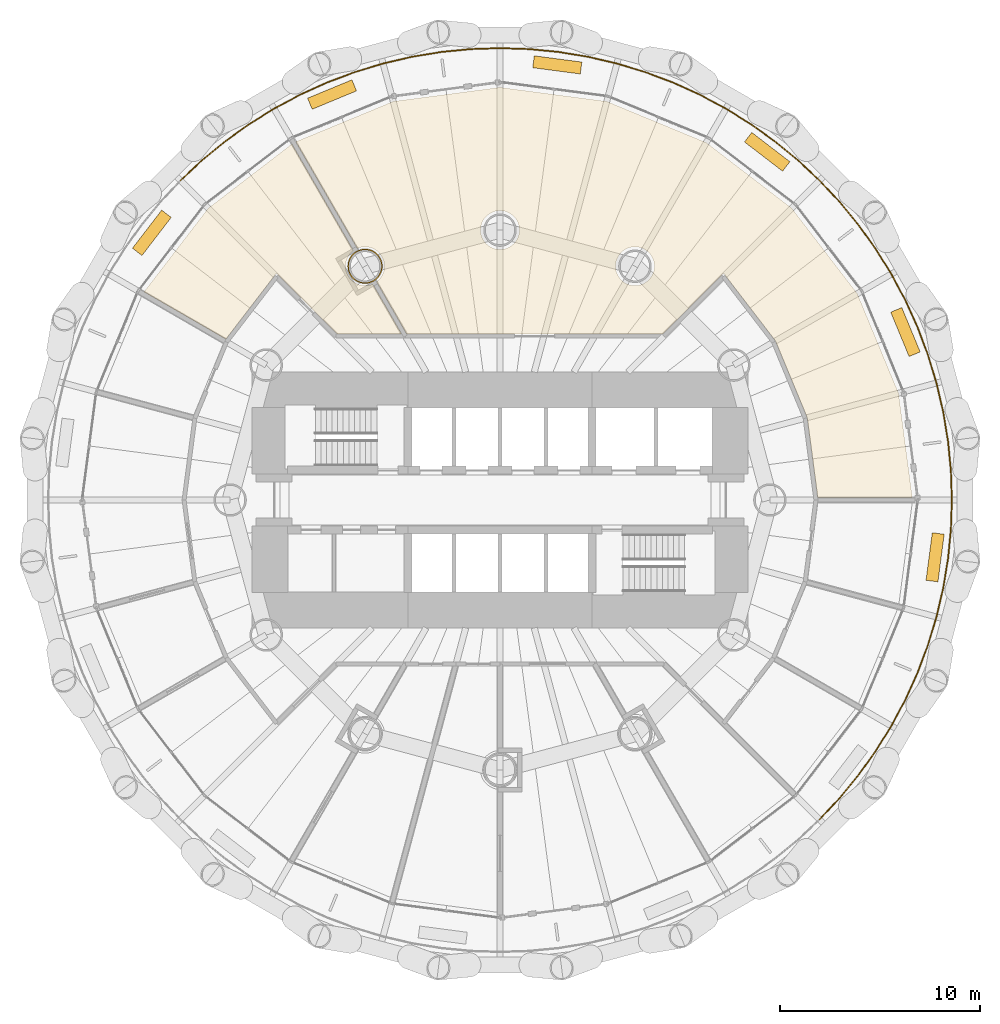
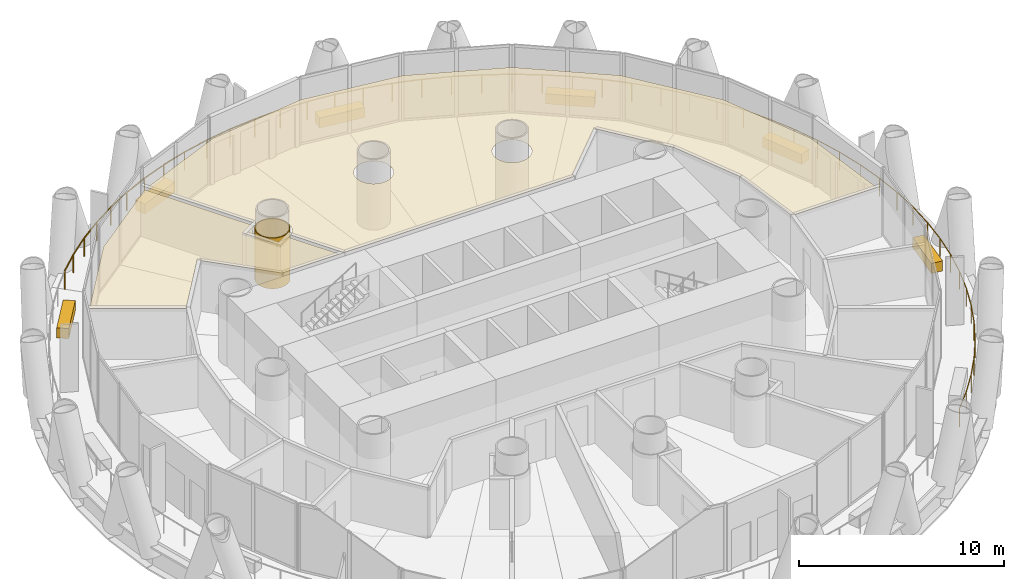
# One storey, part 15 of 15: 9 coverings, 2 railings.
"""IFC4 building model written with IfcOpenShell, lengths in metres."""

from ifc_helpers import new_model, si_unit, direction, frame, origin, origin_2d, place, context, subcontext, project, spatial, polyline, rectangle, circle, outline, extrude, material, layer, layer_set, type_object, element, save


model = new_model("IFC4")

# Units and contexts
model_context = context("Model", 3, precision=1e-05, world=origin(), true_north=direction((0.0, 1.0)))
body_context = subcontext(model_context, "Body", "Model", "MODEL_VIEW")
ifc_project = project(units=[si_unit("LENGTHUNIT", "METRE"), si_unit("AREAUNIT", "SQUARE_METRE"), si_unit("VOLUMEUNIT", "CUBIC_METRE"), si_unit("PLANEANGLEUNIT", "RADIAN"), si_unit("MASSUNIT", "GRAM", prefix="KILO")], contexts=[model_context])

# Site, building, storey
site_placement = place(None, origin())
site = spatial("IfcSite", under=ifc_project, at=site_placement, CompositionType="ELEMENT")
building_placement = place(site_placement, origin())
building = spatial("IfcBuilding", under=site, at=building_placement, Name="Qaws Media Tower", CompositionType="ELEMENT")
storey_placement = place(building_placement, frame((0.0, 0.0, 30.199951171875)))
storey = spatial("IfcBuildingStorey", under=building, at=storey_placement, Name="L05", CompositionType="ELEMENT", Elevation=30.199951171875)

# Railings
ifc_material_1 = material(Name="Stainless steel and glass guard", Category="steel")
railing_type = type_object("IfcRailingType", Name="Balcony guard 1100", PredefinedType="GUARDRAIL", material=ifc_material_1)
railing_1_placement = place(storey_placement, frame((75.980712890625, 65.980712890625, 0.0)))
element("IfcRailing", 1, at=railing_1_placement, inside=storey, type_object=railing_type, Name="GR1 balcony guard L05-1", PredefinedType="GUARDRAIL", context=body_context, shape_type="SweptSolid", body=[
    extrude(circle(Radius=0.02392578125, at=origin_2d()), frame((0.0, 0.0, 1.076171875), z_axis=(-0.729918010526, 0.683534708636, 0.0), x_axis=(-0.683534708636, -0.729918010526, 0.0)), (0.0, 0.0, 1.0), 1.47900390625),
    extrude(circle(Radius=0.02392578125, at=origin_2d()), frame((-1.07958984375, 1.010986328125, 1.076171875), z_axis=(-0.773044305148, 0.6343520334, 0.0), x_axis=(-0.6343520334, -0.773044305148, 0.0)), (0.0, 0.0, 1.0), 1.478759765625),
    extrude(circle(Radius=0.02392578125, at=origin_2d()), frame((-2.22265625, 1.948974609375, 1.076171875), z_axis=(-0.812806706409, 0.582533482314, 0.0), x_axis=(-0.582533482314, -0.812806706409, 0.0)), (0.0, 0.0, 1.0), 1.47900390625),
    extrude(circle(Radius=0.02392578125, at=origin_2d()), frame((-3.4248046875, 2.810546875, 1.076171875), z_axis=(-0.849183285446, 0.528098236808, 0.0), x_axis=(-0.528098236808, -0.849183285446, 0.0)), (0.0, 0.0, 1.0), 1.47900390625),
    extrude(circle(Radius=0.02392578125, at=origin_2d()), frame((-4.6806640625, 3.591552734375, 1.076171875), z_axis=(-0.881982540226, 0.471282079795, 0.0), x_axis=(-0.471282079795, -0.881982540226, 0.0)), (0.0, 0.0, 1.0), 1.47900390625),
    extrude(circle(Radius=0.02392578125, at=origin_2d()), frame((-5.985107421875, 4.28857421875, 1.076171875), z_axis=(-0.910846457391, 0.412745358615, 0.0), x_axis=(-0.412745358615, -0.910846457391, 0.0)), (0.0, 0.0, 1.0), 1.478759765625),
    extrude(circle(Radius=0.02392578125, at=origin_2d()), frame((-7.33203125, 4.89892578125, 1.076171875), z_axis=(-0.935887448914, 0.352299138469, 0.0), x_axis=(-0.352299138469, -0.935887448914, 0.0)), (0.0, 0.0, 1.0), 1.478759765625),
    extrude(circle(Radius=0.02392578125, at=origin_2d()), frame((-8.716064453125, 5.419921875, 1.076171875), z_axis=(-0.956963294231, 0.290208982449, 0.0), x_axis=(-0.290208982449, -0.956963294231, 0.0)), (0.0, 0.0, 1.0), 1.47900390625),
    extrude(circle(Radius=0.02392578125, at=origin_2d()), frame((-10.13134765625, 5.84912109375, 1.076171875), z_axis=(-0.973865554702, 0.227125254792, 0.0), x_axis=(-0.227125254792, -0.973865554702, 0.0)), (0.0, 0.0, 1.0), 1.47900390625),
    extrude(circle(Radius=0.02392578125, at=origin_2d()), frame((-11.57177734375, 6.18505859375, 1.076171875), z_axis=(-0.986633820175, 0.162953075722, 0.0), x_axis=(-0.162953075722, -0.986633820175, 0.0)), (0.0, 0.0, 1.0), 1.478759765625),
    extrude(circle(Radius=0.02392578125, at=origin_2d()), frame((-13.03076171875, 6.426025390625, 1.076171875), z_axis=(-0.995197674488, 0.097885589811, 0.0), x_axis=(-0.097885589811, -0.995197674488, 0.0)), (0.0, 0.0, 1.0), 1.47900390625),
    extrude(circle(Radius=0.02392578125, at=origin_2d()), frame((-14.502685546875, 6.57080078125, 1.076171875), z_axis=(-0.999460191698, 0.032853085257, 0.0), x_axis=(-0.032853085257, -0.999460191698, 0.0)), (0.0, 0.0, 1.0), 1.478759765625),
    extrude(circle(Radius=0.02392578125, at=origin_2d()), frame((-15.980712890625, 6.619384765625, 1.076171875), z_axis=(-0.999460191698, -0.032853085257, 0.0), x_axis=(0.032853085257, -0.999460191698, 0.0)), (0.0, 0.0, 1.0), 1.478759765625),
    extrude(circle(Radius=0.02392578125, at=origin_2d()), frame((-17.458740234375, 6.57080078125, 1.076171875), z_axis=(-0.995197674488, -0.097885589811, 0.0), x_axis=(0.097885589811, -0.995197674488, 0.0)), (0.0, 0.0, 1.0), 1.47900390625),
    extrude(circle(Radius=0.02392578125, at=origin_2d()), frame((-18.9306640625, 6.426025390625, 1.076171875), z_axis=(-0.986633820175, -0.162953075722, 0.0), x_axis=(0.162953075722, -0.986633820175, 0.0)), (0.0, 0.0, 1.0), 1.478759765625),
    extrude(circle(Radius=0.02392578125, at=origin_2d()), frame((-20.3896484375, 6.18505859375, 1.076171875), z_axis=(-0.973865554702, -0.227125254792, 0.0), x_axis=(0.227125254792, -0.973865554702, 0.0)), (0.0, 0.0, 1.0), 1.47900390625),
    extrude(circle(Radius=0.02392578125, at=origin_2d()), frame((-21.830078125, 5.84912109375, 1.076171875), z_axis=(-0.956963294231, -0.290208982449, 0.0), x_axis=(0.290208982449, -0.956963294231, 0.0)), (0.0, 0.0, 1.0), 1.47900390625),
    extrude(circle(Radius=0.02392578125, at=origin_2d()), frame((-23.245361328125, 5.419921875, 1.076171875), z_axis=(-0.935887448914, -0.352299138469, 0.0), x_axis=(0.352299138469, -0.935887448914, 0.0)), (0.0, 0.0, 1.0), 1.478759765625),
    extrude(circle(Radius=0.02392578125, at=origin_2d()), frame((-24.62939453125, 4.89892578125, 1.076171875), z_axis=(-0.910846457391, -0.412745358615, 0.0), x_axis=(0.412745358615, -0.910846457391, 0.0)), (0.0, 0.0, 1.0), 1.478759765625),
    extrude(circle(Radius=0.02392578125, at=origin_2d()), frame((-25.976318359375, 4.28857421875, 1.076171875), z_axis=(-0.881982540226, -0.471282079795, 0.0), x_axis=(0.471282079795, -0.881982540226, 0.0)), (0.0, 0.0, 1.0), 1.47900390625),
    extrude(circle(Radius=0.02392578125, at=origin_2d()), frame((-27.28076171875, 3.591552734375, 1.076171875), z_axis=(-0.849183285446, -0.528098236808, 0.0), x_axis=(0.528098236808, -0.849183285446, 0.0)), (0.0, 0.0, 1.0), 1.47900390625),
    extrude(circle(Radius=0.02392578125, at=origin_2d()), frame((-28.53662109375, 2.810546875, 1.076171875), z_axis=(-0.812806706409, -0.582533482314, 0.0), x_axis=(0.582533482314, -0.812806706409, 0.0)), (0.0, 0.0, 1.0), 1.47900390625),
    extrude(circle(Radius=0.02392578125, at=origin_2d()), frame((-29.73876953125, 1.948974609375, 1.076171875), z_axis=(-0.773044305148, -0.6343520334, 0.0), x_axis=(0.6343520334, -0.773044305148, 0.0)), (0.0, 0.0, 1.0), 1.478759765625),
    extrude(circle(Radius=0.02392578125, at=origin_2d()), frame((-30.8818359375, 1.010986328125, 1.076171875), z_axis=(-0.729918010526, -0.683534708636, 0.0), x_axis=(0.683534708636, -0.729918010526, 0.0)), (0.0, 0.0, 1.0), 1.47900390625),
    extrude(circle(Radius=0.02099609375, at=origin_2d()), origin(), (0.0, 0.0, 1.0), 1.052001953125),
    extrude(circle(Radius=0.02099609375, at=origin_2d()), frame((-1.07958984375, 1.010986328125, 0.0)), (0.0, 0.0, 1.0), 1.052001953125),
    extrude(circle(Radius=0.02099609375, at=origin_2d()), frame((-2.22265625, 1.948974609375, 0.0)), (0.0, 0.0, 1.0), 1.052001953125),
    extrude(circle(Radius=0.02099609375, at=origin_2d()), frame((-3.4248046875, 2.810546875, 0.0)), (0.0, 0.0, 1.0), 1.052001953125),
    extrude(circle(Radius=0.02099609375, at=origin_2d()), frame((-4.6806640625, 3.591552734375, 0.0)), (0.0, 0.0, 1.0), 1.052001953125),
    extrude(circle(Radius=0.02099609375, at=origin_2d()), frame((-5.985107421875, 4.28857421875, 0.0)), (0.0, 0.0, 1.0), 1.052001953125),
    extrude(circle(Radius=0.02099609375, at=origin_2d()), frame((-7.33203125, 4.89892578125, 0.0)), (0.0, 0.0, 1.0), 1.052001953125),
    extrude(circle(Radius=0.02099609375, at=origin_2d()), frame((-8.716064453125, 5.419921875, 0.0)), (0.0, 0.0, 1.0), 1.052001953125),
    extrude(circle(Radius=0.02099609375, at=origin_2d()), frame((-10.13134765625, 5.84912109375, 0.0)), (0.0, 0.0, 1.0), 1.052001953125),
    extrude(circle(Radius=0.02099609375, at=origin_2d()), frame((-11.57177734375, 6.18505859375, 0.0)), (0.0, 0.0, 1.0), 1.052001953125),
    extrude(circle(Radius=0.02099609375, at=origin_2d()), frame((-13.03076171875, 6.426025390625, 0.0)), (0.0, 0.0, 1.0), 1.052001953125),
    extrude(circle(Radius=0.02099609375, at=origin_2d()), frame((-14.502685546875, 6.57080078125, 0.0)), (0.0, 0.0, 1.0), 1.052001953125),
    extrude(circle(Radius=0.02099609375, at=origin_2d()), frame((-15.980712890625, 6.619384765625, 0.0)), (0.0, 0.0, 1.0), 1.052001953125),
    extrude(circle(Radius=0.02099609375, at=origin_2d()), frame((-17.458740234375, 6.57080078125, 0.0)), (0.0, 0.0, 1.0), 1.052001953125),
    extrude(circle(Radius=0.02099609375, at=origin_2d()), frame((-18.9306640625, 6.426025390625, 0.0)), (0.0, 0.0, 1.0), 1.052001953125),
    extrude(circle(Radius=0.02099609375, at=origin_2d()), frame((-20.3896484375, 6.18505859375, 0.0)), (0.0, 0.0, 1.0), 1.052001953125),
    extrude(circle(Radius=0.02099609375, at=origin_2d()), frame((-21.830078125, 5.84912109375, 0.0)), (0.0, 0.0, 1.0), 1.052001953125),
    extrude(circle(Radius=0.02099609375, at=origin_2d()), frame((-23.245361328125, 5.419921875, 0.0)), (0.0, 0.0, 1.0), 1.052001953125),
    extrude(circle(Radius=0.02099609375, at=origin_2d()), frame((-24.62939453125, 4.89892578125, 0.0)), (0.0, 0.0, 1.0), 1.052001953125),
    extrude(circle(Radius=0.02099609375, at=origin_2d()), frame((-25.976318359375, 4.28857421875, 0.0)), (0.0, 0.0, 1.0), 1.052001953125),
    extrude(circle(Radius=0.02099609375, at=origin_2d()), frame((-27.28076171875, 3.591552734375, 0.0)), (0.0, 0.0, 1.0), 1.052001953125),
    extrude(circle(Radius=0.02099609375, at=origin_2d()), frame((-28.53662109375, 2.810546875, 0.0)), (0.0, 0.0, 1.0), 1.052001953125),
    extrude(circle(Radius=0.02099609375, at=origin_2d()), frame((-29.73876953125, 1.948974609375, 0.0)), (0.0, 0.0, 1.0), 1.052001953125),
    extrude(circle(Radius=0.02099609375, at=origin_2d()), frame((-30.8818359375, 1.010986328125, 0.0)), (0.0, 0.0, 1.0), 1.052001953125),
    extrude(circle(Radius=0.02099609375, at=origin_2d()), frame((-31.96142578125, 0.0, 0.0)), (0.0, 0.0, 1.0), 1.052001953125),
])
railing_2_placement = place(storey_placement, frame((75.980712890625, 34.019287109375, 0.0)))
element("IfcRailing", 2, at=railing_2_placement, inside=storey, type_object=railing_type, Name="GR1 balcony guard L05-4", PredefinedType="GUARDRAIL", context=body_context, shape_type="SweptSolid", body=[
    extrude(circle(Radius=0.02392578125, at=origin_2d()), frame((0.0, 0.0, 1.076171875), z_axis=(0.683534708636, 0.729918010526, 0.0), x_axis=(-0.729918010526, 0.683534708636, 0.0)), (0.0, 0.0, 1.0), 1.47900390625),
    extrude(circle(Radius=0.02392578125, at=origin_2d()), frame((1.010986328125, 1.07958984375, 1.076171875), z_axis=(0.6343520334, 0.773044305148, 0.0), x_axis=(-0.773044305148, 0.6343520334, 0.0)), (0.0, 0.0, 1.0), 1.478759765625),
    extrude(circle(Radius=0.02392578125, at=origin_2d()), frame((1.948974609375, 2.22265625, 1.076171875), z_axis=(0.582533482314, 0.812806706409, 0.0), x_axis=(-0.812806706409, 0.582533482314, 0.0)), (0.0, 0.0, 1.0), 1.47900390625),
    extrude(circle(Radius=0.02392578125, at=origin_2d()), frame((2.810546875, 3.4248046875, 1.076171875), z_axis=(0.528098236808, 0.849183285446, 0.0), x_axis=(-0.849183285446, 0.528098236808, 0.0)), (0.0, 0.0, 1.0), 1.47900390625),
    extrude(circle(Radius=0.02392578125, at=origin_2d()), frame((3.591552734375, 4.6806640625, 1.076171875), z_axis=(0.471282079795, 0.881982540226, 0.0), x_axis=(-0.881982540226, 0.471282079795, 0.0)), (0.0, 0.0, 1.0), 1.47900390625),
    extrude(circle(Radius=0.02392578125, at=origin_2d()), frame((4.28857421875, 5.985107421875, 1.076171875), z_axis=(0.412745358615, 0.910846457391, 0.0), x_axis=(-0.910846457391, 0.412745358615, 0.0)), (0.0, 0.0, 1.0), 1.478759765625),
    extrude(circle(Radius=0.02392578125, at=origin_2d()), frame((4.89892578125, 7.33203125, 1.076171875), z_axis=(0.352299138469, 0.935887448914, 0.0), x_axis=(-0.935887448914, 0.352299138469, 0.0)), (0.0, 0.0, 1.0), 1.478759765625),
    extrude(circle(Radius=0.02392578125, at=origin_2d()), frame((5.419921875, 8.716064453125, 1.076171875), z_axis=(0.290208982449, 0.956963294231, 0.0), x_axis=(-0.956963294231, 0.290208982449, 0.0)), (0.0, 0.0, 1.0), 1.47900390625),
    extrude(circle(Radius=0.02392578125, at=origin_2d()), frame((5.84912109375, 10.13134765625, 1.076171875), z_axis=(0.227125254792, 0.973865554702, 0.0), x_axis=(-0.973865554702, 0.227125254792, 0.0)), (0.0, 0.0, 1.0), 1.47900390625),
    extrude(circle(Radius=0.02392578125, at=origin_2d()), frame((6.18505859375, 11.57177734375, 1.076171875), z_axis=(0.162953075722, 0.986633820175, 0.0), x_axis=(-0.986633820175, 0.162953075722, 0.0)), (0.0, 0.0, 1.0), 1.478759765625),
    extrude(circle(Radius=0.02392578125, at=origin_2d()), frame((6.426025390625, 13.03076171875, 1.076171875), z_axis=(0.097885589811, 0.995197674488, 0.0), x_axis=(-0.995197674488, 0.097885589811, 0.0)), (0.0, 0.0, 1.0), 1.47900390625),
    extrude(circle(Radius=0.02392578125, at=origin_2d()), frame((6.57080078125, 14.502685546875, 1.076171875), z_axis=(0.032853085257, 0.999460191698, 0.0), x_axis=(-0.999460191698, 0.032853085257, 0.0)), (0.0, 0.0, 1.0), 1.478759765625),
    extrude(circle(Radius=0.02392578125, at=origin_2d()), frame((6.619384765625, 15.980712890625, 1.076171875), z_axis=(-0.032853085257, 0.999460191698, 0.0), x_axis=(-0.999460191698, -0.032853085257, 0.0)), (0.0, 0.0, 1.0), 1.478759765625),
    extrude(circle(Radius=0.02392578125, at=origin_2d()), frame((6.57080078125, 17.458740234375, 1.076171875), z_axis=(-0.097885589811, 0.995197674488, 0.0), x_axis=(-0.995197674488, -0.097885589811, 0.0)), (0.0, 0.0, 1.0), 1.47900390625),
    extrude(circle(Radius=0.02392578125, at=origin_2d()), frame((6.426025390625, 18.9306640625, 1.076171875), z_axis=(-0.162953075722, 0.986633820175, 0.0), x_axis=(-0.986633820175, -0.162953075722, 0.0)), (0.0, 0.0, 1.0), 1.478759765625),
    extrude(circle(Radius=0.02392578125, at=origin_2d()), frame((6.18505859375, 20.3896484375, 1.076171875), z_axis=(-0.227125254792, 0.973865554702, 0.0), x_axis=(-0.973865554702, -0.227125254792, 0.0)), (0.0, 0.0, 1.0), 1.47900390625),
    extrude(circle(Radius=0.02392578125, at=origin_2d()), frame((5.84912109375, 21.830078125, 1.076171875), z_axis=(-0.290208982449, 0.956963294231, 0.0), x_axis=(-0.956963294231, -0.290208982449, 0.0)), (0.0, 0.0, 1.0), 1.47900390625),
    extrude(circle(Radius=0.02392578125, at=origin_2d()), frame((5.419921875, 23.245361328125, 1.076171875), z_axis=(-0.352299138469, 0.935887448914, 0.0), x_axis=(-0.935887448914, -0.352299138469, 0.0)), (0.0, 0.0, 1.0), 1.478759765625),
    extrude(circle(Radius=0.02392578125, at=origin_2d()), frame((4.89892578125, 24.62939453125, 1.076171875), z_axis=(-0.412745358615, 0.910846457391, 0.0), x_axis=(-0.910846457391, -0.412745358615, 0.0)), (0.0, 0.0, 1.0), 1.478759765625),
    extrude(circle(Radius=0.02392578125, at=origin_2d()), frame((4.28857421875, 25.976318359375, 1.076171875), z_axis=(-0.471282079795, 0.881982540226, 0.0), x_axis=(-0.881982540226, -0.471282079795, 0.0)), (0.0, 0.0, 1.0), 1.47900390625),
    extrude(circle(Radius=0.02392578125, at=origin_2d()), frame((3.591552734375, 27.28076171875, 1.076171875), z_axis=(-0.528098236808, 0.849183285446, 0.0), x_axis=(-0.849183285446, -0.528098236808, 0.0)), (0.0, 0.0, 1.0), 1.47900390625),
    extrude(circle(Radius=0.02392578125, at=origin_2d()), frame((2.810546875, 28.53662109375, 1.076171875), z_axis=(-0.582533482314, 0.812806706409, 0.0), x_axis=(-0.812806706409, -0.582533482314, 0.0)), (0.0, 0.0, 1.0), 1.47900390625),
    extrude(circle(Radius=0.02392578125, at=origin_2d()), frame((1.948974609375, 29.73876953125, 1.076171875), z_axis=(-0.6343520334, 0.773044305148, 0.0), x_axis=(-0.773044305148, -0.6343520334, 0.0)), (0.0, 0.0, 1.0), 1.478759765625),
    extrude(circle(Radius=0.02392578125, at=origin_2d()), frame((1.010986328125, 30.8818359375, 1.076171875), z_axis=(-0.683534708636, 0.729918010526, 0.0), x_axis=(-0.729918010526, -0.683534708636, 0.0)), (0.0, 0.0, 1.0), 1.47900390625),
    extrude(circle(Radius=0.02099609375, at=origin_2d()), origin(), (0.0, 0.0, 1.0), 1.052001953125),
    extrude(circle(Radius=0.02099609375, at=origin_2d()), frame((1.010986328125, 1.07958984375, 0.0)), (0.0, 0.0, 1.0), 1.052001953125),
    extrude(circle(Radius=0.02099609375, at=origin_2d()), frame((1.948974609375, 2.22265625, 0.0)), (0.0, 0.0, 1.0), 1.052001953125),
    extrude(circle(Radius=0.02099609375, at=origin_2d()), frame((2.810546875, 3.4248046875, 0.0)), (0.0, 0.0, 1.0), 1.052001953125),
    extrude(circle(Radius=0.02099609375, at=origin_2d()), frame((3.591552734375, 4.6806640625, 0.0)), (0.0, 0.0, 1.0), 1.052001953125),
    extrude(circle(Radius=0.02099609375, at=origin_2d()), frame((4.28857421875, 5.985107421875, 0.0)), (0.0, 0.0, 1.0), 1.052001953125),
    extrude(circle(Radius=0.02099609375, at=origin_2d()), frame((4.89892578125, 7.33203125, 0.0)), (0.0, 0.0, 1.0), 1.052001953125),
    extrude(circle(Radius=0.02099609375, at=origin_2d()), frame((5.419921875, 8.716064453125, 0.0)), (0.0, 0.0, 1.0), 1.052001953125),
    extrude(circle(Radius=0.02099609375, at=origin_2d()), frame((5.84912109375, 10.13134765625, 0.0)), (0.0, 0.0, 1.0), 1.052001953125),
    extrude(circle(Radius=0.02099609375, at=origin_2d()), frame((6.18505859375, 11.57177734375, 0.0)), (0.0, 0.0, 1.0), 1.052001953125),
    extrude(circle(Radius=0.02099609375, at=origin_2d()), frame((6.426025390625, 13.03076171875, 0.0)), (0.0, 0.0, 1.0), 1.052001953125),
    extrude(circle(Radius=0.02099609375, at=origin_2d()), frame((6.57080078125, 14.502685546875, 0.0)), (0.0, 0.0, 1.0), 1.052001953125),
    extrude(circle(Radius=0.02099609375, at=origin_2d()), frame((6.619384765625, 15.980712890625, 0.0)), (0.0, 0.0, 1.0), 1.052001953125),
    extrude(circle(Radius=0.02099609375, at=origin_2d()), frame((6.57080078125, 17.458740234375, 0.0)), (0.0, 0.0, 1.0), 1.052001953125),
    extrude(circle(Radius=0.02099609375, at=origin_2d()), frame((6.426025390625, 18.9306640625, 0.0)), (0.0, 0.0, 1.0), 1.052001953125),
    extrude(circle(Radius=0.02099609375, at=origin_2d()), frame((6.18505859375, 20.3896484375, 0.0)), (0.0, 0.0, 1.0), 1.052001953125),
    extrude(circle(Radius=0.02099609375, at=origin_2d()), frame((5.84912109375, 21.830078125, 0.0)), (0.0, 0.0, 1.0), 1.052001953125),
    extrude(circle(Radius=0.02099609375, at=origin_2d()), frame((5.419921875, 23.245361328125, 0.0)), (0.0, 0.0, 1.0), 1.052001953125),
    extrude(circle(Radius=0.02099609375, at=origin_2d()), frame((4.89892578125, 24.62939453125, 0.0)), (0.0, 0.0, 1.0), 1.052001953125),
    extrude(circle(Radius=0.02099609375, at=origin_2d()), frame((4.28857421875, 25.976318359375, 0.0)), (0.0, 0.0, 1.0), 1.052001953125),
    extrude(circle(Radius=0.02099609375, at=origin_2d()), frame((3.591552734375, 27.28076171875, 0.0)), (0.0, 0.0, 1.0), 1.052001953125),
    extrude(circle(Radius=0.02099609375, at=origin_2d()), frame((2.810546875, 28.53662109375, 0.0)), (0.0, 0.0, 1.0), 1.052001953125),
    extrude(circle(Radius=0.02099609375, at=origin_2d()), frame((1.948974609375, 29.73876953125, 0.0)), (0.0, 0.0, 1.0), 1.052001953125),
    extrude(circle(Radius=0.02099609375, at=origin_2d()), frame((1.010986328125, 30.8818359375, 0.0)), (0.0, 0.0, 1.0), 1.052001953125),
    extrude(circle(Radius=0.02099609375, at=origin_2d()), frame((0.0, 31.96142578125, 0.0)), (0.0, 0.0, 1.0), 1.052001953125),
])

# Coverings
ifc_material_2 = material(Name="Two layers 15 fire-rated gypsum board on steel framing", Category="steel")
ifc_layer_1 = layer(ifc_material_2, 0.050048828125)
ifc_layer_set_1 = layer_set([ifc_layer_1], Name="Column fire casing")
covering_type_1 = type_object("IfcCoveringType", Name="Column fire casing", PredefinedType="CLADDING", material=ifc_layer_set_1)
covering_1_placement = place(storey_placement, origin())
element("IfcCovering", 3, at=covering_1_placement, inside=storey, type_object=covering_type_1, Name="CC1 column casing L05", PredefinedType="CLADDING", context=body_context, shape_type="SweptSolid", body=[
    extrude(outline(polyline([(54.117919921875, 61.69140625), (54.110595703125, 61.577880859375), (54.08837890625, 61.466796875), (54.052001953125, 61.359130859375), (54.001708984375, 61.25732421875), (53.938720703125, 61.162841796875), (53.86376953125, 61.07763671875), (53.7783203125, 61.002685546875), (53.68408203125, 60.939697265625), (53.582275390625, 60.889404296875), (53.474609375, 60.852783203125), (53.36328125, 60.830810546875), (53.25, 60.8232421875), (53.13671875, 60.830810546875), (53.025390625, 60.852783203125), (52.917724609375, 60.889404296875), (52.81591796875, 60.939697265625), (52.7216796875, 61.002685546875), (52.63623046875, 61.07763671875), (52.561279296875, 61.162841796875), (52.498291015625, 61.25732421875), (52.447998046875, 61.359130859375), (52.41162109375, 61.466796875), (52.389404296875, 61.577880859375), (52.382080078125, 61.69140625), (52.389404296875, 61.8046875), (52.41162109375, 61.916015625), (52.447998046875, 62.0234375), (52.498291015625, 62.125244140625), (52.561279296875, 62.2197265625), (52.63623046875, 62.30517578125), (52.7216796875, 62.3798828125), (52.81591796875, 62.443115234375), (52.917724609375, 62.493408203125), (53.025390625, 62.52978515625), (53.13671875, 62.552001953125), (53.25, 62.559326171875), (53.36328125, 62.552001953125), (53.474609375, 62.52978515625), (53.582275390625, 62.493408203125), (53.68408203125, 62.443115234375), (53.7783203125, 62.3798828125), (53.86376953125, 62.30517578125), (53.938720703125, 62.2197265625), (54.001708984375, 62.125244140625), (54.052001953125, 62.0234375), (54.08837890625, 61.916015625), (54.110595703125, 61.8046875), (54.117919921875, 61.69140625)]), holes=[polyline([(54.06591796875, 61.69140625), (54.05908203125, 61.584716796875), (54.0380859375, 61.47998046875), (54.00390625, 61.379150390625), (53.956787109375, 61.283203125), (53.8974609375, 61.194580078125), (53.826904296875, 61.1142578125), (53.74658203125, 61.0439453125), (53.657958984375, 60.984619140625), (53.562255859375, 60.9375), (53.461181640625, 60.903076171875), (53.3564453125, 60.88232421875), (53.25, 60.875244140625), (53.1435546875, 60.88232421875), (53.038818359375, 60.903076171875), (52.937744140625, 60.9375), (52.842041015625, 60.984619140625), (52.75341796875, 61.0439453125), (52.673095703125, 61.1142578125), (52.6025390625, 61.194580078125), (52.543212890625, 61.283203125), (52.49609375, 61.379150390625), (52.4619140625, 61.47998046875), (52.44091796875, 61.584716796875), (52.43408203125, 61.69140625), (52.44091796875, 61.7978515625), (52.4619140625, 61.902587890625), (52.49609375, 62.003662109375), (52.543212890625, 62.099365234375), (52.6025390625, 62.18798828125), (52.673095703125, 62.268310546875), (52.75341796875, 62.338623046875), (52.842041015625, 62.39794921875), (52.937744140625, 62.4453125), (53.038818359375, 62.4794921875), (53.1435546875, 62.50048828125), (53.25, 62.50732421875), (53.3564453125, 62.50048828125), (53.461181640625, 62.4794921875), (53.562255859375, 62.4453125), (53.657958984375, 62.39794921875), (53.74658203125, 62.338623046875), (53.826904296875, 62.268310546875), (53.8974609375, 62.18798828125), (53.956787109375, 62.099365234375), (54.00390625, 62.003662109375), (54.0380859375, 61.902587890625), (54.05908203125, 61.7978515625), (54.06591796875, 61.69140625)])]), origin(), (0.0, 0.0, 1.0), 3.02001953125),
])
ifc_material_3 = material(Name="600 x 600 mineral fibre tiles in exposed grid, suspended", Category="mineral fibre")
ifc_layer_2 = layer(ifc_material_3, 0.02001953125)
ifc_layer_set_2 = layer_set([ifc_layer_2], Name="Mineral fibre tile ceiling 20")
covering_type_2 = type_object("IfcCoveringType", Name="Mineral fibre tile ceiling 20", PredefinedType="CEILING", material=ifc_layer_set_2)
covering_2_placement = place(storey_placement, frame((0.0, 0.0, 2.85009765625)))
element("IfcCovering", 4, at=covering_2_placement, inside=storey, type_object=covering_type_2, Name="CL1 ceiling L05-02 Production office", PredefinedType="CEILING", context=body_context, shape_type="SweptSolid", body=[
    extrude(outline(polyline([(54.6591796875, 69.93212890625), (60.0, 70.63525390625), (65.3408203125, 69.93212890625), (70.317626953125, 67.87060546875), (74.59130859375, 64.59130859375), (77.87060546875, 60.317626953125), (79.93212890625, 55.3408203125), (80.620361328125, 50.112548828125), (75.898681640625, 50.112548828125), (75.37109375, 54.11865234375), (73.781494140625, 57.956787109375), (71.183349609375, 61.342529296875), (68.1533203125, 58.3125), (55.330810546875, 58.3125), (53.830322265625, 60.911376953125), (53.84228515625, 60.91943359375), (53.93798828125, 61.00341796875), (54.02197265625, 61.09912109375), (54.092529296875, 61.204833984375), (54.14892578125, 61.319091796875), (54.189697265625, 61.439453125), (54.214599609375, 61.564208984375), (54.222900390625, 61.69140625), (54.214599609375, 61.818359375), (54.189697265625, 61.943115234375), (54.14892578125, 62.063720703125), (54.092529296875, 62.177734375), (54.02197265625, 62.28369140625), (53.93798828125, 62.37939453125), (53.84228515625, 62.46337890625), (53.736572265625, 62.533935546875), (53.622314453125, 62.59033203125), (53.501708984375, 62.631103515625), (53.376953125, 62.656005859375), (53.25, 62.664306640625), (53.123046875, 62.656005859375), (52.998291015625, 62.631103515625), (52.877685546875, 62.59033203125), (52.864501953125, 62.583984375), (49.787109375, 67.9140625), (54.6591796875, 69.93212890625)]), holes=[polyline([(60.89892578125, 63.127685546875), (60.939697265625, 63.248291015625), (60.964599609375, 63.373046875), (60.972900390625, 63.5), (60.964599609375, 63.626953125), (60.939697265625, 63.751708984375), (60.89892578125, 63.872314453125), (60.842529296875, 63.986572265625), (60.77197265625, 64.09228515625), (60.68798828125, 64.18798828125), (60.59228515625, 64.27197265625), (60.486572265625, 64.342529296875), (60.372314453125, 64.39892578125), (60.251708984375, 64.439697265625), (60.126953125, 64.464599609375), (60.0, 64.472900390625), (59.873046875, 64.464599609375), (59.748291015625, 64.439697265625), (59.627685546875, 64.39892578125), (59.513427734375, 64.342529296875), (59.40771484375, 64.27197265625), (59.31201171875, 64.18798828125), (59.22802734375, 64.09228515625), (59.157470703125, 63.986572265625), (59.10107421875, 63.872314453125), (59.060302734375, 63.751708984375), (59.035400390625, 63.626953125), (59.027099609375, 63.5), (59.035400390625, 63.373046875), (59.060302734375, 63.248291015625), (59.10107421875, 63.127685546875), (59.157470703125, 63.013427734375), (59.22802734375, 62.90771484375), (59.31201171875, 62.81201171875), (59.40771484375, 62.72802734375), (59.513427734375, 62.657470703125), (59.627685546875, 62.60107421875), (59.748291015625, 62.560302734375), (59.873046875, 62.535400390625), (60.0, 62.527099609375), (60.126953125, 62.535400390625), (60.251708984375, 62.560302734375), (60.372314453125, 62.60107421875), (60.486572265625, 62.657470703125), (60.59228515625, 62.72802734375), (60.68798828125, 62.81201171875), (60.77197265625, 62.90771484375), (60.842529296875, 63.013427734375), (60.89892578125, 63.127685546875)]), polyline([(67.64892578125, 61.319091796875), (67.689697265625, 61.439453125), (67.714599609375, 61.564208984375), (67.722900390625, 61.69140625), (67.714599609375, 61.818359375), (67.689697265625, 61.943115234375), (67.64892578125, 62.063720703125), (67.592529296875, 62.177734375), (67.52197265625, 62.28369140625), (67.43798828125, 62.37939453125), (67.34228515625, 62.46337890625), (67.236572265625, 62.533935546875), (67.122314453125, 62.59033203125), (67.001708984375, 62.631103515625), (66.876953125, 62.656005859375), (66.75, 62.664306640625), (66.623046875, 62.656005859375), (66.498291015625, 62.631103515625), (66.377685546875, 62.59033203125), (66.263427734375, 62.533935546875), (66.15771484375, 62.46337890625), (66.06201171875, 62.37939453125), (65.97802734375, 62.28369140625), (65.907470703125, 62.177734375), (65.85107421875, 62.063720703125), (65.810302734375, 61.943115234375), (65.785400390625, 61.818359375), (65.777099609375, 61.69140625), (65.785400390625, 61.564208984375), (65.810302734375, 61.439453125), (65.85107421875, 61.319091796875), (65.907470703125, 61.204833984375), (65.97802734375, 61.09912109375), (66.06201171875, 61.00341796875), (66.15771484375, 60.91943359375), (66.263427734375, 60.8486328125), (66.377685546875, 60.79248046875), (66.498291015625, 60.75146484375), (66.623046875, 60.726806640625), (66.75, 60.71826171875), (66.876953125, 60.726806640625), (67.001708984375, 60.75146484375), (67.122314453125, 60.79248046875), (67.236572265625, 60.8486328125), (67.34228515625, 60.91943359375), (67.43798828125, 61.00341796875), (67.52197265625, 61.09912109375), (67.592529296875, 61.204833984375), (67.64892578125, 61.319091796875)])]), origin(), (0.0, 0.0, 1.0), 0.02001953125),
])
ifc_material_4 = material(Name="Precast concrete planter with trailing planting", Category="concrete")
ifc_layer_3 = layer(ifc_material_4, 0.60009765625)
ifc_layer_set_3 = layer_set([ifc_layer_3], Name="Planter 2400x600")
covering_type_3 = type_object("IfcCoveringType", Name="Planter 2400x600", PredefinedType="USERDEFINED", material=ifc_layer_set_3)
for number, where, z_axis, x_axis, name in (
    (5, (80.279052734375, 58.39990234375, 0.0), (0.0, 0.0, 1.0), (-0.382683432365, 0.923879532511, 0.0), "PL1 balcony planter L05-01"),
    (6, (73.3623046875, 67.4140625, 0.0), (0.0, 0.0, 1.0), (-0.793353340291, 0.608761429009, 0.0), "PL1 balcony planter L05-02"),
    (7, (62.864990234375, 71.76220703125, 0.0), (0.0, 0.0, 1.0), (-0.991444861374, 0.13052619222, 0.0), "PL1 balcony planter L05-03"),
    (8, (51.60009765625, 70.279052734375, 0.0), (0.0, 0.0, 1.0), (-0.923879532511, -0.382683432365, 0.0), "PL1 balcony planter L05-04"),
    (9, (42.5859375, 63.3623046875, 0.0), (0.0, 0.0, 1.0), (-0.608761429009, -0.793353340291, 0.0), "PL1 balcony planter L05-05"),
    (10, (81.76220703125, 47.135009765625, 0.0), (0.0, 0.0, 1.0), (0.13052619222, 0.991444861374, 0.0), "PL1 balcony planter L05-12"),
):
    element("IfcCovering", number, at=place(storey_placement, frame(where, z_axis=z_axis, x_axis=x_axis)), inside=storey, type_object=covering_type_3, Name=name, ObjectType="PLANTER", PredefinedType="USERDEFINED", context=body_context, shape_type="SweptSolid", body=[
        extrude(rectangle(XDim=2.39990234375, YDim=0.60009765625, at=origin_2d()), origin(), (0.0, 0.0, 1.0), 0.60009765625),
    ])
ifc_material_5 = material(Name="Two layers 12.5 moisture-resistant plasterboard on suspended metal furring", Category="gypsum")
ifc_layer_4 = layer(ifc_material_5, 0.02490234375)
ifc_layer_set_4 = layer_set([ifc_layer_4], Name="Plasterboard ceiling 25")
covering_type_4 = type_object("IfcCoveringType", Name="Plasterboard ceiling 25", PredefinedType="CEILING", material=ifc_layer_set_4)
covering_3_placement = place(storey_placement, frame((0.0, 0.0, 2.85009765625)))
element("IfcCovering", 11, at=covering_3_placement, inside=storey, type_object=covering_type_4, Name="CL2 ceiling L05-03 Green room", PredefinedType="CEILING", context=body_context, shape_type="SweptSolid", body=[
    extrude(outline(polyline([(45.40869140625, 64.59130859375), (49.59228515625, 67.801513671875), (52.669921875, 62.471435546875), (52.65771484375, 62.46337890625), (52.56201171875, 62.37939453125), (52.47802734375, 62.28369140625), (52.407470703125, 62.177734375), (52.35107421875, 62.063720703125), (52.310302734375, 61.943115234375), (52.285400390625, 61.818359375), (52.277099609375, 61.69140625), (52.285400390625, 61.564208984375), (52.310302734375, 61.439453125), (52.35107421875, 61.319091796875), (52.407470703125, 61.204833984375), (52.47802734375, 61.09912109375), (52.56201171875, 61.00341796875), (52.65771484375, 60.91943359375), (52.763427734375, 60.8486328125), (52.877685546875, 60.79248046875), (52.998291015625, 60.75146484375), (53.123046875, 60.726806640625), (53.25, 60.71826171875), (53.376953125, 60.726806640625), (53.501708984375, 60.75146484375), (53.622314453125, 60.79248046875), (53.635498046875, 60.798828125), (55.07080078125, 58.3125), (51.8466796875, 58.3125), (48.816650390625, 61.342529296875), (46.28759765625, 58.046875), (42.198486328125, 60.40771484375), (45.40869140625, 64.59130859375)])), origin(), (0.0, 0.0, 1.0), 0.02490234375),
])

save(model, "model.ifc")
